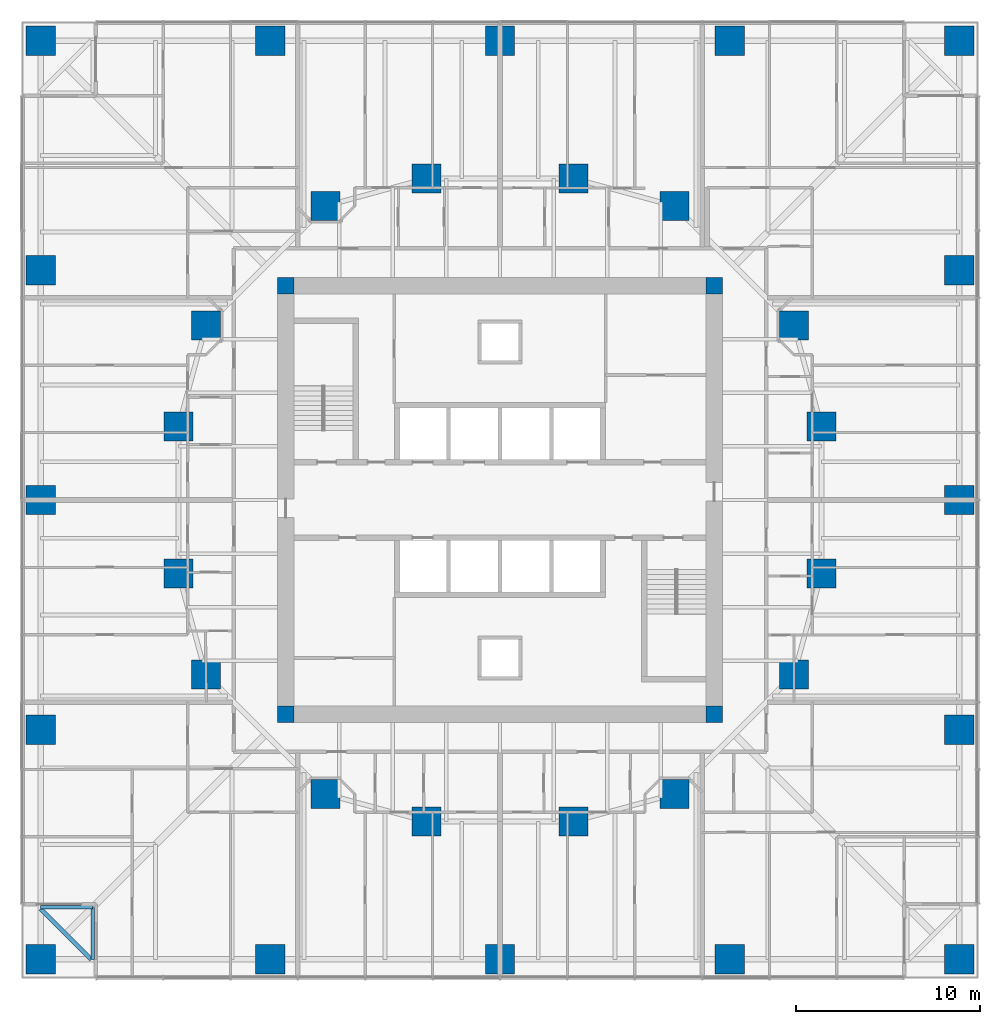
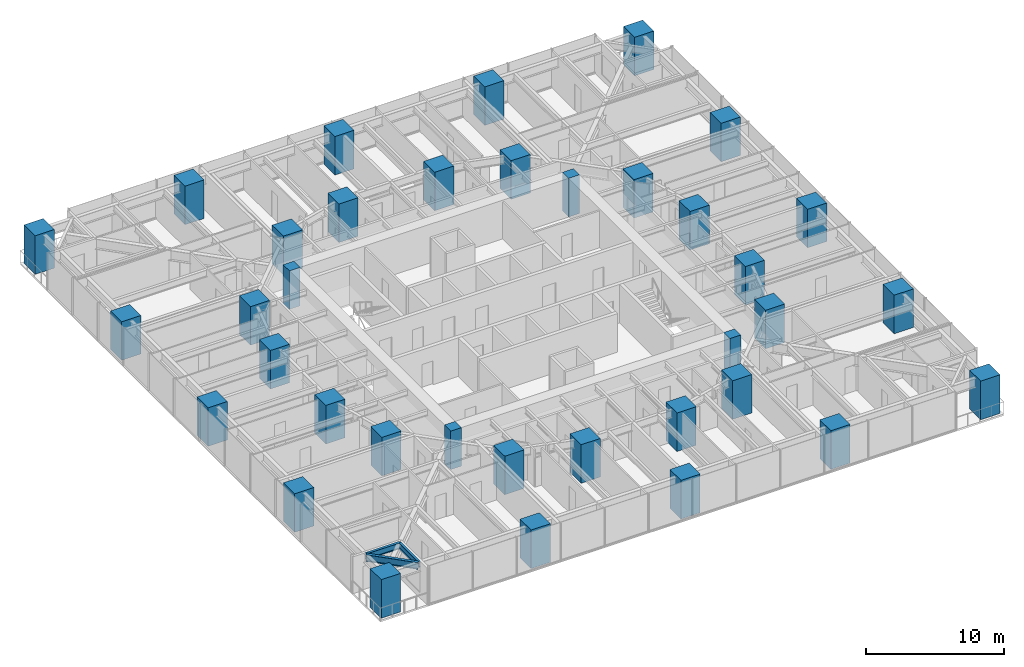
# One storey, part 1 of 17: 36 columns, 3 beams.
"""IFC4 building model written with IfcOpenShell, lengths in metres."""

import ifcopenshell
import ifcopenshell.guid

model = None  # the IFC model being written
_history = None  # IfcOwnerHistory: only IFC2X3 demands one
_inside = {}  # id of a spatial element -> (the spatial element, [elements in it])
_under = {}  # id of a project, library or spatial element -> (it, [spatial elements below it])
_declared = {}  # id of a project -> (the project, [libraries it declares])
_typed = {}  # id of a type object -> (the type object, [elements of that type])
_made_of = {}  # id of a material, layer set ... -> (it, [elements and type objects made of it])


def new_model(schema):
    """Start an empty IFC model of exactly this schema.

    Asked for "IFC4X3", IfcOpenShell would pick the latest addendum, in which some entities
    have other attributes; the version numbers below select the first issue.
    IFC2X3 requires an IfcOwnerHistory on every rooted entity: one is made here for all.
    """
    global model, _history
    if schema == "IFC4X3":
        model = ifcopenshell.file(schema_version=(4, 3, 0, 0))
    else:
        model = ifcopenshell.file(schema=schema)
    _inside.clear()
    _under.clear()
    _declared.clear()
    _typed.clear()
    _made_of.clear()
    _history = None
    if model.schema == "IFC2X3":
        org = make("IfcOrganization", Name="unknown")
        user = make(
            "IfcPersonAndOrganization",
            ThePerson=make("IfcPerson", FamilyName="unknown"),
            TheOrganization=org,
        )
        app = make(
            "IfcApplication",
            ApplicationDeveloper=org,
            Version="unknown",
            ApplicationFullName="unknown",
            ApplicationIdentifier="unknown",
        )
        _history = make(
            "IfcOwnerHistory",
            OwningUser=user,
            OwningApplication=app,
            ChangeAction="ADDED",
            CreationDate=0,
        )
    return model


def make(cls, **values):
    """One entity of the class cls with the attributes given. An attribute that is None is left unset."""
    return model.create_entity(
        cls, **{name: value for name, value in values.items() if value is not None}
    )


def rooted(cls, **values):
    """An entity with a GlobalId (a new one), such as an element, a storey or a relation."""
    return make(cls, GlobalId=ifcopenshell.guid.new(), OwnerHistory=_history, **values)


def si_unit(unit_type, name, prefix=None):
    """IfcSIUnit, for example si_unit("LENGTHUNIT", "METRE", prefix="MILLI")."""
    return make("IfcSIUnit", UnitType=unit_type, Prefix=prefix, Name=name)


def assignment(units):
    """IfcUnitAssignment: the units of a project."""
    return None if units is None else make("IfcUnitAssignment", Units=units)


def point(xyz):
    """IfcCartesianPoint."""
    return None if xyz is None else make("IfcCartesianPoint", Coordinates=xyz)


def direction(xyz):
    """IfcDirection."""
    return None if xyz is None else make("IfcDirection", DirectionRatios=xyz)


def frame(location, z_axis=None, x_axis=None):
    """IfcAxis2Placement3D, a coordinate frame: its origin and axes. An axis left out is left unset."""
    return make(
        "IfcAxis2Placement3D",
        Location=point(location),
        Axis=direction(z_axis),
        RefDirection=direction(x_axis),
    )


def frame_2d(location, x_axis=None):
    """IfcAxis2Placement2D, a coordinate frame in the plane: its origin and x axis."""
    return make(
        "IfcAxis2Placement2D", Location=point(location), RefDirection=direction(x_axis)
    )


def origin():
    """The frame at (0, 0, 0) with its axes left unset."""
    return frame((0.0, 0.0, 0.0))


def origin_2d():
    """The frame at (0, 0) in the plane with its x axis left unset."""
    return frame_2d((0.0, 0.0))


def place(relative_to, where):
    """IfcLocalPlacement: puts the frame where relative to a parent placement (None: the world)."""
    return make(
        "IfcLocalPlacement", PlacementRelTo=relative_to, RelativePlacement=where
    )


def context(
    kind, dimensions, precision=None, world=None, true_north=None, identifier=None
):
    """IfcGeometricRepresentationContext, for example the 3D "Model" context."""
    return make(
        "IfcGeometricRepresentationContext",
        ContextIdentifier=identifier,
        ContextType=kind,
        CoordinateSpaceDimension=dimensions,
        Precision=precision,
        WorldCoordinateSystem=world,
        TrueNorth=true_north,
    )


def subcontext(parent, identifier, kind, view, scale=None):
    """IfcGeometricRepresentationSubContext, for example "Body" below "Model"."""
    return make(
        "IfcGeometricRepresentationSubContext",
        ContextIdentifier=identifier,
        ContextType=kind,
        ParentContext=parent,
        TargetScale=scale,
        TargetView=view,
    )


def project(units=None, contexts=None):
    """IfcProject with its units and contexts."""
    return rooted(
        "IfcProject",
        Name="project",
        RepresentationContexts=contexts,
        UnitsInContext=assignment(units),
    )


def spatial(cls, under=None, at=None, **own):
    """A site, building, storey or space (cls), placed at a placement, below another one or the project."""
    s = rooted(cls, ObjectPlacement=at, **own)
    if under is not None:
        _under.setdefault(under.id(), (under, []))[1].append(s)
    return s


def profile(cls, at=None, kind="AREA", **sizes):
    """A parametric profile (cls). Its sizes go by their IFC names, for example OverallWidth=200.0."""
    return make(cls, ProfileType=kind, Position=at, **sizes)


def rectangle(**sizes):
    """IfcRectangleProfileDef."""
    return profile("IfcRectangleProfileDef", **sizes)


def i_section(**sizes):
    """IfcIShapeProfileDef."""
    return profile("IfcIShapeProfileDef", **sizes)


def extrude(swept, where, along, depth):
    """IfcExtrudedAreaSolid: the profile swept, set in the frame where, extruded along a direction by depth."""
    return make(
        "IfcExtrudedAreaSolid",
        SweptArea=swept,
        Position=where,
        ExtrudedDirection=direction(along),
        Depth=depth,
    )


def shape(context_of_items, identifier, shape_type, items):
    """IfcShapeRepresentation: the items that make up one representation, for example the "Body"."""
    return make(
        "IfcShapeRepresentation",
        ContextOfItems=context_of_items,
        RepresentationIdentifier=identifier,
        RepresentationType=shape_type,
        Items=items,
    )


def material(Name=None, Category=None):
    """IfcMaterial."""
    return make("IfcMaterial", Name=Name, Category=Category)


def material_profile(
    of_material, cross_section, Name=None, Category=None, Priority=None
):
    """IfcMaterialProfile: a cross section and its material."""
    return make(
        "IfcMaterialProfile",
        Name=Name,
        Material=of_material,
        Profile=cross_section,
        Priority=Priority,
        Category=Category,
    )


def profile_set(profiles, Name=None, composite=None):
    """IfcMaterialProfileSet."""
    return make(
        "IfcMaterialProfileSet",
        Name=Name,
        MaterialProfiles=profiles,
        CompositeProfile=composite,
    )


def made_of(thing, what):
    """Note that an element or type object is made of a material, layer set ...; save() writes the relation."""
    if what is not None:
        _made_of.setdefault(what.id(), (what, []))[1].append(thing)
    return thing


def type_object(cls, material=None, **own):
    """A type object (cls), such as IfcWallType, which elements share."""
    return made_of(rooted(cls, **own), material)


def element(
    cls,
    number,
    at=None,
    inside=None,
    cuts=None,
    type_object=None,
    material=None,
    context=None,
    identifier="Body",
    shape_type=None,
    held_by="IfcProductDefinitionShape",
    body=None,
    shapes=None,
    **own,
):
    """One element of the class cls, such as IfcWall. Its Tag is "e" and its number.

    at: its placement. inside: the storey or other place that contains it. cuts: it is an
    opening in that element (IfcRelVoidsElement). A single representation is given by context,
    identifier, shape_type and body (its items); several are given by shapes. held_by: the class
    of the entity that holds the representations. save() writes the other relations.
    """
    e = rooted(cls, Tag="e%d" % number, ObjectPlacement=at, **own)
    if body is not None:
        shapes = [shape(context, identifier, shape_type, body)]
    if shapes is not None:
        e.Representation = make(held_by, Representations=shapes)
    if inside is not None:
        _inside.setdefault(inside.id(), (inside, []))[1].append(e)
    if cuts is not None:
        rooted(
            "IfcRelVoidsElement", RelatingBuildingElement=cuts, RelatedOpeningElement=e
        )
    if type_object is not None:
        _typed.setdefault(type_object.id(), (type_object, []))[1].append(e)
    return made_of(e, material)


def aggregate(whole, parts):
    """IfcRelAggregates: a whole, such as a stair, and the parts it consists of."""
    return rooted("IfcRelAggregates", RelatingObject=whole, RelatedObjects=parts)


def save(model, path):
    """Write the relations noted so far, then the file.

    IfcRelAggregates (storeys below a building ...), IfcRelContainedInSpatialStructure (elements
    in a storey), IfcRelDefinesByType, IfcRelAssociatesMaterial and IfcRelDeclares: one each for
    every whole, place, type object, material and project.
    """
    for whole, parts in _under.values():
        aggregate(whole, parts)
    for where, things in _inside.values():
        rooted(
            "IfcRelContainedInSpatialStructure",
            RelatedElements=things,
            RelatingStructure=where,
        )
    for kind, things in _typed.values():
        rooted("IfcRelDefinesByType", RelatedObjects=things, RelatingType=kind)
    for what, things in _made_of.values():
        rooted("IfcRelAssociatesMaterial", RelatedObjects=things, RelatingMaterial=what)
    for by, libraries in _declared.values():
        rooted("IfcRelDeclares", RelatingContext=by, RelatedDefinitions=libraries)
    model.write(path)


model = new_model("IFC4")

# Units and contexts
model_context = context("Model", 3, precision=1e-05, world=origin(), true_north=direction((0.0, 1.0)))
body_context = subcontext(model_context, "Body", "Model", "MODEL_VIEW")
ifc_project = project(units=[si_unit("LENGTHUNIT", "METRE"), si_unit("AREAUNIT", "SQUARE_METRE"), si_unit("VOLUMEUNIT", "CUBIC_METRE"), si_unit("PLANEANGLEUNIT", "RADIAN"), si_unit("MASSUNIT", "GRAM", prefix="KILO")], contexts=[model_context])

# Site, building, storey
site_placement = place(None, origin())
site = spatial("IfcSite", under=ifc_project, at=site_placement, CompositionType="ELEMENT")
building_placement = place(site_placement, origin())
building = spatial("IfcBuilding", under=site, at=building_placement, Name="Torsade Residences", CompositionType="ELEMENT")
storey_placement = place(building_placement, frame((0.0, 0.0, 21.800048828125)))
storey = spatial("IfcBuildingStorey", under=building, at=storey_placement, Name="L05", CompositionType="ELEMENT", Elevation=21.800048828125)

# Columns
ifc_material_1 = material(Name="Concrete 80 MPa", Category="concrete")
ifc_material_profile_1 = material_profile(ifc_material_1, rectangle(XDim=0.89990234375, YDim=0.89990234375, at=origin_2d()), Name="RC 900x900")
ifc_profile_set_1 = profile_set([ifc_material_profile_1], Name="Concrete 80 MPa")
column_type_1 = type_object("IfcColumnType", Name="CORE CORNER COLUMN RC 900x900", PredefinedType="COLUMN", material=ifc_profile_set_1)
for number, where, z_axis, x_axis, name in (
    (1, (28.35009765625, 18.35009765625, 0.0), (0.0, 0.0, 1.0), (1.0, 0.0, 0.0), "Core corner column CC1 L05"),
    (2, (51.64990234375, 18.35009765625, 0.0), (0.0, 0.0, 1.0), (1.0, 0.0, 0.0), "Core corner column CC2 L05"),
    (3, (51.64990234375, 41.64990234375, 0.0), (0.0, 0.0, 1.0), (1.0, 0.0, 0.0), "Core corner column CC3 L05"),
    (4, (28.35009765625, 41.64990234375, 0.0), (0.0, 0.0, 1.0), (1.0, 0.0, 0.0), "Core corner column CC4 L05"),
):
    element("IfcColumn", number, at=place(storey_placement, frame(where, z_axis=z_axis, x_axis=x_axis)), inside=storey, type_object=column_type_1, Name=name, PredefinedType="COLUMN", context=body_context, shape_type="SweptSolid", body=[
        extrude(rectangle(XDim=0.89990234375, YDim=0.89990234375, at=origin_2d()), origin(), (0.0, 0.0, 1.0), 3.39990234375),
    ])
ifc_material_2 = material(Name="Concrete 80 MPa", Category="concrete")
ifc_material_profile_2 = material_profile(ifc_material_2, rectangle(XDim=1.60009765625, YDim=1.60009765625, at=origin_2d()), Name="RC 1600x1600")
ifc_profile_set_2 = profile_set([ifc_material_profile_2], Name="Concrete 80 MPa")
column_type_2 = type_object("IfcColumnType", Name="INNER RING COLUMN RC 1600x1600", PredefinedType="COLUMN", material=ifc_profile_set_2)
for number, where, z_axis, x_axis, name in (
    (5, (57.5, 26.0, 0.0), (0.0, 0.0, 1.0), (1.0, 0.0, 0.0), "Inner ring column IR01 L05"),
    (6, (57.5, 34.0, 0.0), (0.0, 0.0, 1.0), (1.0, 0.0, 0.0), "Inner ring column IR02 L05"),
    (7, (56.0, 39.5, 0.0), (0.0, 0.0, 1.0), (1.0, 0.0, 0.0), "Inner ring column IR03 L05"),
    (8, (49.5, 46.0, 0.0), (0.0, 0.0, 1.0), (1.0, 0.0, 0.0), "Inner ring column IR04 L05"),
    (9, (44.0, 47.5, 0.0), (0.0, 0.0, 1.0), (1.0, 0.0, 0.0), "Inner ring column IR05 L05"),
    (10, (36.0, 47.5, 0.0), (0.0, 0.0, 1.0), (1.0, 0.0, 0.0), "Inner ring column IR06 L05"),
    (11, (30.5, 46.0, 0.0), (0.0, 0.0, 1.0), (1.0, 0.0, 0.0), "Inner ring column IR07 L05"),
    (12, (24.0, 39.5, 0.0), (0.0, 0.0, 1.0), (1.0, 0.0, 0.0), "Inner ring column IR08 L05"),
    (13, (22.5, 34.0, 0.0), (0.0, 0.0, 1.0), (1.0, 0.0, 0.0), "Inner ring column IR09 L05"),
    (14, (22.5, 26.0, 0.0), (0.0, 0.0, 1.0), (1.0, 0.0, 0.0), "Inner ring column IR10 L05"),
    (15, (24.0, 20.5, 0.0), (0.0, 0.0, 1.0), (1.0, 0.0, 0.0), "Inner ring column IR11 L05"),
    (16, (30.5, 14.0, 0.0), (0.0, 0.0, 1.0), (1.0, 0.0, 0.0), "Inner ring column IR12 L05"),
    (17, (36.0, 12.5, 0.0), (0.0, 0.0, 1.0), (1.0, 0.0, 0.0), "Inner ring column IR13 L05"),
    (18, (44.0, 12.5, 0.0), (0.0, 0.0, 1.0), (1.0, 0.0, 0.0), "Inner ring column IR14 L05"),
    (19, (49.5, 14.0, 0.0), (0.0, 0.0, 1.0), (1.0, 0.0, 0.0), "Inner ring column IR15 L05"),
    (20, (56.0, 20.5, 0.0), (0.0, 0.0, 1.0), (1.0, 0.0, 0.0), "Inner ring column IR16 L05"),
):
    element("IfcColumn", number, at=place(storey_placement, frame(where, z_axis=z_axis, x_axis=x_axis)), inside=storey, type_object=column_type_2, Name=name, PredefinedType="COLUMN", context=body_context, shape_type="SweptSolid", body=[
        extrude(rectangle(XDim=1.60009765625, YDim=1.60009765625, at=origin_2d()), origin(), (0.0, 0.0, 1.0), 3.39990234375),
    ])
ifc_material_3 = material(Name="Concrete 80 MPa", Category="concrete")
ifc_material_profile_3 = material_profile(ifc_material_3, rectangle(XDim=1.60009765625, YDim=1.60009765625, at=origin_2d()), Name="RC 1600x1600")
ifc_profile_set_3 = profile_set([ifc_material_profile_3], Name="Concrete 80 MPa")
column_type_3 = type_object("IfcColumnType", Name="TOWER COLUMN RC 1600x1600", PredefinedType="COLUMN", material=ifc_profile_set_3)
for number, where, z_axis, x_axis, name in (
    (21, (15.0, 5.0, 0.0), (0.0, 0.0, 1.0), (1.0, 0.0, 0.0), "Column TC1-01 L05"),
    (22, (27.5, 5.0, 0.0), (0.0, 0.0, 1.0), (1.0, 0.0, 0.0), "Column TC1-02 L05"),
    (23, (40.0, 5.0, 0.0), (0.0, 0.0, 1.0), (1.0, 0.0, 0.0), "Column TC1-03 L05"),
    (24, (52.5, 5.0, 0.0), (0.0, 0.0, 1.0), (1.0, 0.0, 0.0), "Column TC1-04 L05"),
    (25, (65.0, 5.0, 0.0), (0.0, 0.0, 1.0), (1.0, 0.0, 0.0), "Column TC1-05 L05"),
    (26, (65.0, 17.5, 0.0), (0.0, 0.0, 1.0), (1.0, 0.0, 0.0), "Column TC1-06 L05"),
    (27, (65.0, 30.0, 0.0), (0.0, 0.0, 1.0), (1.0, 0.0, 0.0), "Column TC1-07 L05"),
    (28, (65.0, 42.5, 0.0), (0.0, 0.0, 1.0), (1.0, 0.0, 0.0), "Column TC1-08 L05"),
    (29, (65.0, 55.0, 0.0), (0.0, 0.0, 1.0), (1.0, 0.0, 0.0), "Column TC1-09 L05"),
    (30, (52.5, 55.0, 0.0), (0.0, 0.0, 1.0), (1.0, 0.0, 0.0), "Column TC1-10 L05"),
    (31, (40.0, 55.0, 0.0), (0.0, 0.0, 1.0), (1.0, 0.0, 0.0), "Column TC1-11 L05"),
    (32, (27.5, 55.0, 0.0), (0.0, 0.0, 1.0), (1.0, 0.0, 0.0), "Column TC1-12 L05"),
    (33, (15.0, 55.0, 0.0), (0.0, 0.0, 1.0), (1.0, 0.0, 0.0), "Column TC1-13 L05"),
    (34, (15.0, 42.5, 0.0), (0.0, 0.0, 1.0), (1.0, 0.0, 0.0), "Column TC1-14 L05"),
    (35, (15.0, 30.0, 0.0), (0.0, 0.0, 1.0), (1.0, 0.0, 0.0), "Column TC1-15 L05"),
    (36, (15.0, 17.5, 0.0), (0.0, 0.0, 1.0), (1.0, 0.0, 0.0), "Column TC1-16 L05"),
):
    element("IfcColumn", number, at=place(storey_placement, frame(where, z_axis=z_axis, x_axis=x_axis)), inside=storey, type_object=column_type_3, Name=name, PredefinedType="COLUMN", context=body_context, shape_type="SweptSolid", body=[
        extrude(rectangle(XDim=1.60009765625, YDim=1.60009765625, at=origin_2d()), origin(), (0.0, 0.0, 1.0), 3.39990234375),
    ])

# Beams
ifc_material_4 = material(Name="Steel grade 300", Category="steel")
ifc_material_profile_4 = material_profile(ifc_material_4, i_section(OverallWidth=0.22802734375, OverallDepth=0.60205078125, WebThickness=0.010498046875, FlangeThickness=0.014892578125, FilletRadius=0.013916015625, at=origin_2d()), Name="610UB101")
ifc_profile_set_4 = profile_set([ifc_material_profile_4], Name="Steel grade 300")
beam_type_1 = type_object("IfcBeamType", Name="CORNER TRIMMER 610UB101", PredefinedType="BEAM", material=ifc_profile_set_4)
beam_placement = place(storey_placement, frame((17.75, 5.0, 2.948974609375), z_axis=(-0.707106781187, 0.707106781187, 0.0), x_axis=(-0.707106781187, -0.707106781187, 0.0)))
element("IfcBeam", 37, at=beam_placement, inside=storey, type_object=beam_type_1, Name="Corner trimmer 01 L06", PredefinedType="BEAM", context=body_context, shape_type="SweptSolid", body=[
    extrude(i_section(OverallWidth=0.22802734375, OverallDepth=0.60205078125, WebThickness=0.010498046875, FlangeThickness=0.014892578125, FilletRadius=0.013916015625, at=origin_2d()), origin(), (0.0, 0.0, 1.0), 3.88916015625),
])
ifc_material_5 = material(Name="Steel grade 300", Category="steel")
ifc_material_profile_5 = material_profile(ifc_material_5, i_section(OverallWidth=0.208984375, OverallDepth=0.528076171875, WebThickness=0.009521484375, FlangeThickness=0.01318359375, FilletRadius=0.013916015625, at=origin_2d()), Name="530UB82.0")
ifc_profile_set_5 = profile_set([ifc_material_profile_5], Name="Steel grade 300")
beam_type_2 = type_object("IfcBeamType", Name="SECONDARY BEAM 530UB82.0", PredefinedType="JOIST", material=ifc_profile_set_5)
for number, where, z_axis, x_axis, name in (
    (38, (17.833251953125, 5.0, 2.98583984375), (0.0, 1.0, 0.0), (-1.0, 0.0, 0.0), "Floor beam FS01 L06"),
    (39, (15.0, 7.833251953125, 2.98583984375), (1.0, 0.0, 0.0), (0.0, 1.0, 0.0), "Floor beam FW12 L06"),
):
    element("IfcBeam", number, at=place(storey_placement, frame(where, z_axis=z_axis, x_axis=x_axis)), inside=storey, type_object=beam_type_2, Name=name, PredefinedType="JOIST", context=body_context, shape_type="SweptSolid", body=[
        extrude(i_section(OverallWidth=0.208984375, OverallDepth=0.528076171875, WebThickness=0.009521484375, FlangeThickness=0.01318359375, FilletRadius=0.013916015625, at=origin_2d()), origin(), (0.0, 0.0, 1.0), 2.833251953125),
    ])

save(model, "model.ifc")
